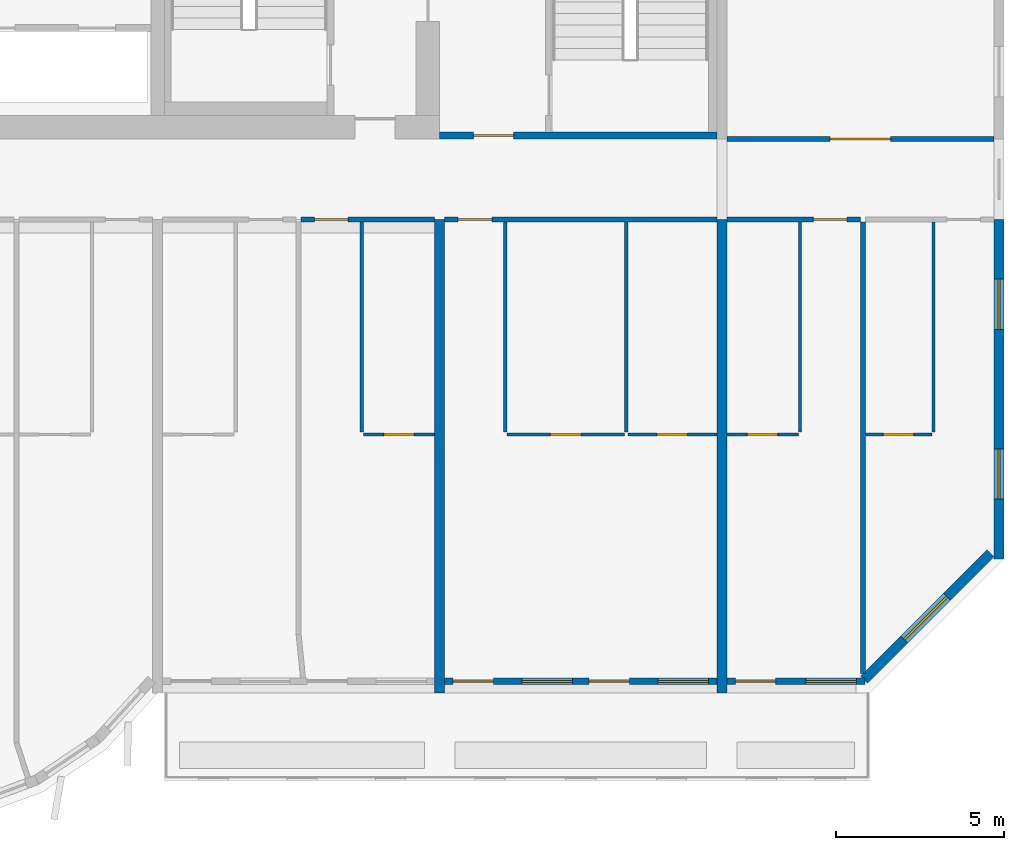
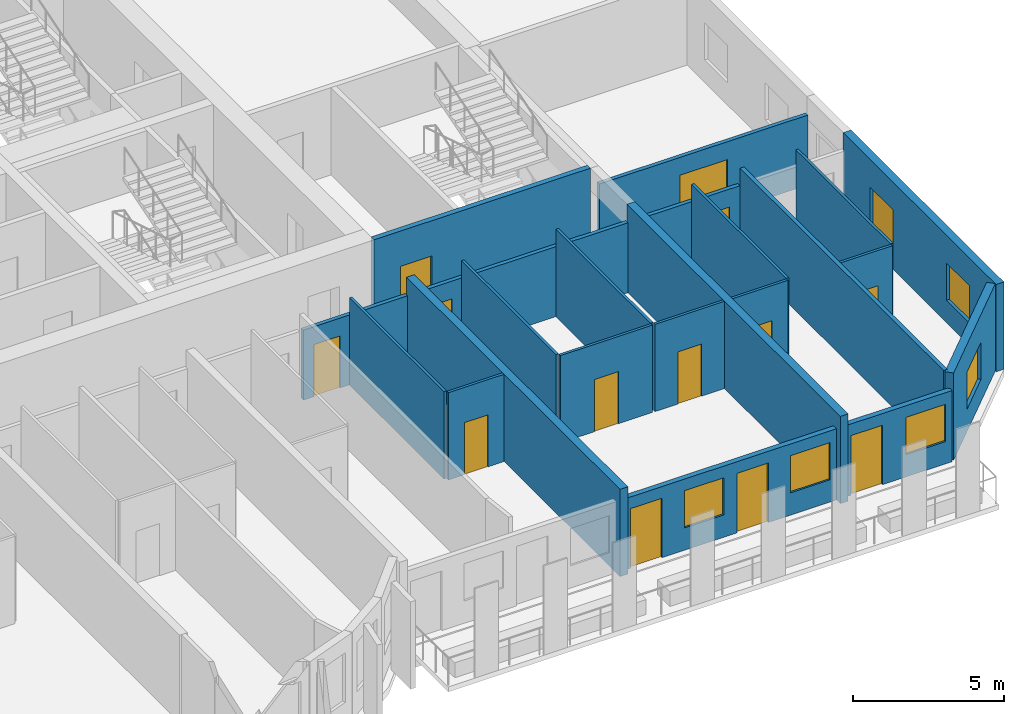
# One storey, part 8 of 13: 22 walls, 13 doors, 6 windows, 19 openings.
"""IFC4 building model written with IfcOpenShell, lengths in metres."""

from ifc_helpers import new_model, si_unit, direction, frame, frame_2d, origin, place, context, subcontext, project, spatial, rectangle, extrude, source, transform, mapped, material, layer, layer_set, type_object, element, fill, save


model = new_model("IFC4")

# Units and contexts
model_context = context("Model", 3, precision=1e-05, world=origin(), true_north=direction((0.0, 1.0)))
body_context = subcontext(model_context, "Body", "Model", "MODEL_VIEW")
ifc_project = project(units=[si_unit("LENGTHUNIT", "METRE"), si_unit("AREAUNIT", "SQUARE_METRE"), si_unit("VOLUMEUNIT", "CUBIC_METRE"), si_unit("PLANEANGLEUNIT", "RADIAN"), si_unit("MASSUNIT", "GRAM", prefix="KILO")], contexts=[model_context])

# Site, building, storey
site_placement = place(None, origin())
site = spatial("IfcSite", under=ifc_project, at=site_placement, CompositionType="ELEMENT")
building_placement = place(site_placement, origin())
building = spatial("IfcBuilding", under=site, at=building_placement, Name="Vanashikhar Sky Hotel", CompositionType="ELEMENT")
storey_placement = place(building_placement, frame((0.0, 0.0, 155.39990234375)))
storey = spatial("IfcBuildingStorey", under=building, at=storey_placement, Name="L37", CompositionType="ELEMENT", Elevation=155.39990234375)

# Wall, openings, windows
ifc_material_1 = material(Name="Concrete M60", Category="concrete")
ifc_layer_1 = layer(ifc_material_1, 0.300048828125)
ifc_layer_set_1 = layer_set([ifc_layer_1], Name="RC shear wall 300 Concrete M60")
wall_type_1 = type_object("IfcWallType", Name="RC shear wall 300 Concrete M60", PredefinedType="SHEAR", material=ifc_layer_set_1)
shared_shape_1 = source(origin(), body_context, "Body", "SweptSolid", [
    extrude(rectangle(XDim=10.10009765625, YDim=0.300048828125, at=frame_2d((5.050048828125, 0.0))), origin(), (0.0, 0.0, 1.0), 3.52001953125),
])
wall_1_placement = place(storey_placement, frame((92.25, 9.5, 0.0), z_axis=(0.0, 0.0, 1.0), x_axis=(0.0, 1.0, 0.0)))
wall_1 = element("IfcWall", 1, at=wall_1_placement, inside=storey, type_object=wall_type_1, Name="CW-L37-XW12-1", PredefinedType="SHEAR", context=body_context, shape_type="MappedRepresentation", body=[
    mapped(shared_shape_1, transform((0.0, 0.0, 0.0), scale=1.0)),
])
shared_shape_2 = source(origin(), body_context, "Body", "SweptSolid", [
    extrude(rectangle(XDim=1.5, YDim=1.5, at=frame_2d((0.75, 0.75))), frame((0.0, 0.16015625, 0.0), z_axis=(0.0, -1.0, 0.0), x_axis=(1.0, 0.0, 0.0)), (0.0, 0.0, 1.0), 0.320068359375),
])
opening_1_placement = place(wall_1_placement, frame((1.77490234375, 0.0, 0.89990234375)))
opening_1 = element("IfcOpeningElement", 2, at=opening_1_placement, cuts=wall_1, Name="Opening WN-1", PredefinedType="OPENING", context=body_context, shape_type="MappedRepresentation", body=[
    mapped(shared_shape_2, transform((0.0, 0.0, 0.0), scale=1.0)),
])
opening_2_placement = place(wall_1_placement, frame((6.824951171875, 0.0, 0.89990234375)))
opening_2 = element("IfcOpeningElement", 3, at=opening_2_placement, cuts=wall_1, Name="Opening WN-1", PredefinedType="OPENING", context=body_context, shape_type="MappedRepresentation", body=[
    mapped(shared_shape_2, transform((0.0, 0.0, 0.0), scale=1.0)),
])
ifc_material_2 = material(Name="Glass", Category="glass")
window_type_1 = type_object("IfcWindowType", Name="Window 1500 x 1500", PartitioningType="SINGLE_PANEL", PredefinedType="WINDOW", material=ifc_material_2)
shared_shape_3 = source(origin(), body_context, "Body", "SweptSolid", [
    extrude(rectangle(XDim=1.5, YDim=1.5, at=frame_2d((0.75, 0.75))), frame((0.0, 0.030029296875, 0.0), z_axis=(0.0, -1.0, 0.0), x_axis=(1.0, 0.0, 0.0)), (0.0, 0.0, 1.0), 0.06005859375),
])
window_1_placement = place(opening_1_placement, origin())
window_1 = element("IfcWindow", 4, at=window_1_placement, inside=storey, type_object=window_type_1, Name="Window WN-1", OverallHeight=1.5, OverallWidth=1.5, PartitioningType="SINGLE_PANEL", PredefinedType="WINDOW", context=body_context, shape_type="MappedRepresentation", body=[
    mapped(shared_shape_3, transform((0.0, 0.0, 0.0), scale=1.0)),
])
fill(opening_1, window_1)
window_2_placement = place(opening_2_placement, origin())
window_2 = element("IfcWindow", 5, at=window_2_placement, inside=storey, type_object=window_type_1, Name="Window WN-1", OverallHeight=1.5, OverallWidth=1.5, PartitioningType="SINGLE_PANEL", PredefinedType="WINDOW", context=body_context, shape_type="MappedRepresentation", body=[
    mapped(shared_shape_3, transform((0.0, 0.0, 0.0), scale=1.0)),
])
fill(opening_2, window_2)

# Walls
shared_shape_4 = source(origin(), body_context, "Body", "SweptSolid", [
    extrude(rectangle(XDim=14.10009765625, YDim=0.300048828125, at=frame_2d((7.050048828125, 0.0))), origin(), (0.0, 0.0, 1.0), 3.52001953125),
])
for number, where, z_axis, x_axis, name in (
    (6, (75.60009765625, 5.5, 0.0), (0.0, 0.0, 1.0), (0.0, 1.0, 0.0), "CW-L37-XW10-1"),
    (7, (84.0, 5.5, 0.0), (0.0, 0.0, 1.0), (0.0, 1.0, 0.0), "CW-L37-XW11-1"),
):
    element("IfcWall", number, at=place(storey_placement, frame(where, z_axis=z_axis, x_axis=x_axis)), inside=storey, type_object=wall_type_1, Name=name, PredefinedType="SHEAR", context=body_context, shape_type="MappedRepresentation", body=[
        mapped(shared_shape_4, transform((0.0, 0.0, 0.0), scale=1.0)),
    ])

# Wall, opening, window
ifc_material_3 = material(Name="Concrete M50", Category="concrete")
ifc_layer_2 = layer(ifc_material_3, 0.300048828125)
ifc_layer_set_2 = layer_set([ifc_layer_2], Name="Lobe wall 300")
wall_type_2 = type_object("IfcWallType", Name="Lobe wall 300", PredefinedType="SOLIDWALL", material=ifc_layer_set_2)
shared_shape_5 = source(origin(), body_context, "Body", "SweptSolid", [
    extrude(rectangle(XDim=5.32568359375, YDim=0.300048828125, at=frame_2d((2.662841796875, 0.0))), origin(), (0.0, 0.0, 1.0), 3.52001953125),
])
wall_2_placement = place(storey_placement, frame((88.234375, 5.89990234375, 0.0), z_axis=(0.0, 0.0, 1.0), x_axis=(0.707083859269, 0.707129702361, 0.0)))
wall_2 = element("IfcWall", 8, at=wall_2_placement, inside=storey, type_object=wall_type_2, Name="Corner wall", PredefinedType="SOLIDWALL", context=body_context, shape_type="MappedRepresentation", body=[
    mapped(shared_shape_5, transform((0.0, 0.0, 0.0), scale=1.0)),
])
shared_shape_6 = source(origin(), body_context, "Body", "SweptSolid", [
    extrude(rectangle(XDim=1.800048828125, YDim=1.5, at=frame_2d((0.89990234375, 0.75))), frame((0.0, 0.16015625, 0.0), z_axis=(0.0, -1.0, 0.0), x_axis=(1.0, 0.0, 0.0)), (0.0, 0.0, 1.0), 0.320068359375),
])
opening_3_placement = place(wall_2_placement, frame((1.689453125, 0.0, 0.89990234375)))
opening_3 = element("IfcOpeningElement", 9, at=opening_3_placement, cuts=wall_2, Name="Opening WN-4", PredefinedType="OPENING", context=body_context, shape_type="MappedRepresentation", body=[
    mapped(shared_shape_6, transform((0.0, 0.0, 0.0), scale=1.0)),
])
window_type_2 = type_object("IfcWindowType", Name="Corner window 1800 x 1500", PartitioningType="SINGLE_PANEL", PredefinedType="WINDOW", material=ifc_material_2)
shared_shape_7 = source(origin(), body_context, "Body", "SweptSolid", [
    extrude(rectangle(XDim=1.800048828125, YDim=1.5, at=frame_2d((0.89990234375, 0.75))), frame((0.0, 0.030029296875, 0.0), z_axis=(0.0, -1.0, 0.0), x_axis=(1.0, 0.0, 0.0)), (0.0, 0.0, 1.0), 0.06005859375),
])
window_3_placement = place(opening_3_placement, origin())
window_3 = element("IfcWindow", 10, at=window_3_placement, inside=storey, type_object=window_type_2, Name="Window WN-4", OverallHeight=1.5, OverallWidth=1.800048828125, PartitioningType="SINGLE_PANEL", PredefinedType="WINDOW", context=body_context, shape_type="MappedRepresentation", body=[
    mapped(shared_shape_7, transform((0.0, 0.0, 0.0), scale=1.0)),
])
fill(opening_3, window_3)

# Wall, openings, window, door
ifc_layer_3 = layer(ifc_material_3, 0.199951171875)
ifc_layer_set_3 = layer_set([ifc_layer_3], Name="Front window wall 200")
wall_type_3 = type_object("IfcWallType", Name="Front window wall 200", PredefinedType="SOLIDWALL", material=ifc_layer_set_3)
shared_shape_8 = source(origin(), body_context, "Body", "SweptSolid", [
    extrude(rectangle(XDim=4.10498046875, YDim=0.199951171875, at=frame_2d((2.052490234375, 0.0))), origin(), (0.0, 0.0, 1.0), 2.8701171875),
])
wall_3_placement = place(storey_placement, frame((84.14990234375, 5.85009765625, 0.0), z_axis=(0.0, 0.0, 1.0), x_axis=(1.0, 0.0, 0.0)))
wall_3 = element("IfcWall", 11, at=wall_3_placement, inside=storey, type_object=wall_type_3, Name="Front window wall", PredefinedType="SOLIDWALL", context=body_context, shape_type="MappedRepresentation", body=[
    mapped(shared_shape_8, transform((0.0, 0.0, 0.0), scale=1.0)),
])
shared_shape_9 = source(origin(), body_context, "Body", "SweptSolid", [
    extrude(rectangle(XDim=1.199951171875, YDim=2.39990234375, at=frame_2d((0.60009765625, 1.199951171875))), frame((0.0, 0.10986328125, 0.0), z_axis=(0.0, -1.0, 0.0), x_axis=(1.0, 0.0, 0.0)), (0.0, 0.0, 1.0), 0.219970703125),
])
opening_4_placement = place(wall_3_placement, frame((0.25, 0.0, 0.0)))
opening_4 = element("IfcOpeningElement", 12, at=opening_4_placement, cuts=wall_3, Name="Opening BD-10", PredefinedType="OPENING", context=body_context, shape_type="MappedRepresentation", body=[
    mapped(shared_shape_9, transform((0.0, 0.0, 0.0), scale=1.0)),
])
shared_shape_10 = source(origin(), body_context, "Body", "SweptSolid", [
    extrude(rectangle(XDim=1.5, YDim=1.5, at=frame_2d((0.75, 0.75))), frame((0.0, 0.10986328125, 0.0), z_axis=(0.0, -1.0, 0.0), x_axis=(1.0, 0.0, 0.0)), (0.0, 0.0, 1.0), 0.219970703125),
])
opening_5_placement = place(wall_3_placement, frame((2.35498046875, 0.0, 0.89990234375)))
opening_5 = element("IfcOpeningElement", 13, at=opening_5_placement, cuts=wall_3, Name="Opening WN-1", PredefinedType="OPENING", context=body_context, shape_type="MappedRepresentation", body=[
    mapped(shared_shape_10, transform((0.0, 0.0, 0.0), scale=1.0)),
])
window_4_placement = place(opening_5_placement, origin())
window_4 = element("IfcWindow", 14, at=window_4_placement, inside=storey, type_object=window_type_1, Name="Window WN-1", OverallHeight=1.5, OverallWidth=1.5, PartitioningType="SINGLE_PANEL", PredefinedType="WINDOW", context=body_context, shape_type="MappedRepresentation", body=[
    mapped(shared_shape_3, transform((0.0, 0.0, 0.0), scale=1.0)),
])
fill(opening_5, window_4)
ifc_material_4 = material(Name="Aluminium", Category="aluminium")
door_type_1 = type_object("IfcDoorType", Name="Balcony sliding door 1200 x 2400", OperationType="NOTDEFINED", PredefinedType="DOOR", material=ifc_material_4)
shared_shape_11 = source(origin(), body_context, "Body", "SweptSolid", [
    extrude(rectangle(XDim=1.199951171875, YDim=2.39990234375, at=frame_2d((0.60009765625, 1.199951171875))), frame((0.0, 0.02490234375, 0.0), z_axis=(0.0, -1.0, 0.0), x_axis=(1.0, 0.0, 0.0)), (0.0, 0.0, 1.0), 0.050048828125),
])
door_1_placement = place(opening_4_placement, origin())
door_1 = element("IfcDoor", 15, at=door_1_placement, inside=storey, type_object=door_type_1, Name="Balcony sliding door", OperationType="SLIDING_TO_RIGHT", OverallHeight=2.39990234375, OverallWidth=1.199951171875, PredefinedType="DOOR", context=body_context, shape_type="MappedRepresentation", body=[
    mapped(shared_shape_11, transform((0.0, 0.0, 0.0), scale=1.0)),
])
fill(opening_4, door_1)

# Wall, openings, windows, doors
shared_shape_12 = source(origin(), body_context, "Body", "SweptSolid", [
    extrude(rectangle(XDim=8.10009765625, YDim=0.199951171875, at=frame_2d((4.050048828125, 0.0))), origin(), (0.0, 0.0, 1.0), 2.8701171875),
])
wall_4_placement = place(storey_placement, frame((75.75, 5.85009765625, 0.0), z_axis=(0.0, 0.0, 1.0), x_axis=(1.0, 0.0, 0.0)))
wall_4 = element("IfcWall", 16, at=wall_4_placement, inside=storey, type_object=wall_type_3, Name="Front window wall", PredefinedType="SOLIDWALL", context=body_context, shape_type="MappedRepresentation", body=[
    mapped(shared_shape_12, transform((0.0, 0.0, 0.0), scale=1.0)),
])
opening_6_placement = place(wall_4_placement, frame((0.25, 0.0, 0.0)))
opening_6 = element("IfcOpeningElement", 17, at=opening_6_placement, cuts=wall_4, Name="Opening BD-08", PredefinedType="OPENING", context=body_context, shape_type="MappedRepresentation", body=[
    mapped(shared_shape_9, transform((0.0, 0.0, 0.0), scale=1.0)),
])
opening_7_placement = place(wall_4_placement, frame((2.300048828125, 0.0, 0.89990234375)))
opening_7 = element("IfcOpeningElement", 18, at=opening_7_placement, cuts=wall_4, Name="Opening WN-1", PredefinedType="OPENING", context=body_context, shape_type="MappedRepresentation", body=[
    mapped(shared_shape_10, transform((0.0, 0.0, 0.0), scale=1.0)),
])
opening_8_placement = place(wall_4_placement, frame((4.300048828125, 0.0, 0.0)))
opening_8 = element("IfcOpeningElement", 19, at=opening_8_placement, cuts=wall_4, Name="Opening BD-09", PredefinedType="OPENING", context=body_context, shape_type="MappedRepresentation", body=[
    mapped(shared_shape_9, transform((0.0, 0.0, 0.0), scale=1.0)),
])
opening_9_placement = place(wall_4_placement, frame((6.35009765625, 0.0, 0.89990234375)))
opening_9 = element("IfcOpeningElement", 20, at=opening_9_placement, cuts=wall_4, Name="Opening WN-1", PredefinedType="OPENING", context=body_context, shape_type="MappedRepresentation", body=[
    mapped(shared_shape_10, transform((0.0, 0.0, 0.0), scale=1.0)),
])
window_5_placement = place(opening_7_placement, origin())
window_5 = element("IfcWindow", 21, at=window_5_placement, inside=storey, type_object=window_type_1, Name="Window WN-1", OverallHeight=1.5, OverallWidth=1.5, PartitioningType="SINGLE_PANEL", PredefinedType="WINDOW", context=body_context, shape_type="MappedRepresentation", body=[
    mapped(shared_shape_3, transform((0.0, 0.0, 0.0), scale=1.0)),
])
fill(opening_7, window_5)
window_6_placement = place(opening_9_placement, origin())
window_6 = element("IfcWindow", 22, at=window_6_placement, inside=storey, type_object=window_type_1, Name="Window WN-1", OverallHeight=1.5, OverallWidth=1.5, PartitioningType="SINGLE_PANEL", PredefinedType="WINDOW", context=body_context, shape_type="MappedRepresentation", body=[
    mapped(shared_shape_3, transform((0.0, 0.0, 0.0), scale=1.0)),
])
fill(opening_9, window_6)
door_2_placement = place(opening_6_placement, origin())
door_2 = element("IfcDoor", 23, at=door_2_placement, inside=storey, type_object=door_type_1, Name="Balcony sliding door", OperationType="SLIDING_TO_RIGHT", OverallHeight=2.39990234375, OverallWidth=1.199951171875, PredefinedType="DOOR", context=body_context, shape_type="MappedRepresentation", body=[
    mapped(shared_shape_11, transform((0.0, 0.0, 0.0), scale=1.0)),
])
fill(opening_6, door_2)
door_3_placement = place(opening_8_placement, origin())
door_3 = element("IfcDoor", 24, at=door_3_placement, inside=storey, type_object=door_type_1, Name="Balcony sliding door", OperationType="SLIDING_TO_LEFT", OverallHeight=2.39990234375, OverallWidth=1.199951171875, PredefinedType="DOOR", context=body_context, shape_type="MappedRepresentation", body=[
    mapped(shared_shape_11, transform((0.0, 0.0, 0.0), scale=1.0)),
])
fill(opening_8, door_3)

# Wall, opening, door
ifc_layer_4 = layer(ifc_material_3, 0.199951171875)
ifc_layer_set_4 = layer_set([ifc_layer_4], Name="Stair wall 200")
wall_type_4 = type_object("IfcWallType", Name="Stair wall 200", PredefinedType="SOLIDWALL", material=ifc_layer_set_4)
shared_shape_13 = source(origin(), body_context, "Body", "SweptSolid", [
    extrude(rectangle(XDim=8.25, YDim=0.199951171875, at=frame_2d((4.125, 0.0))), origin(), (0.0, 0.0, 1.0), 3.52001953125),
])
wall_5_placement = place(storey_placement, frame((83.85009765625, 22.10009765625, 0.0), z_axis=(0.0, 0.0, 1.0), x_axis=(-1.0, 0.0, 0.0)))
wall_5 = element("IfcWall", 25, at=wall_5_placement, inside=storey, type_object=wall_type_4, Name="Stair wall 200", PredefinedType="SOLIDWALL", context=body_context, shape_type="MappedRepresentation", body=[
    mapped(shared_shape_13, transform((0.0, 0.0, 0.0), scale=1.0)),
])
shared_shape_14 = source(origin(), body_context, "Body", "SweptSolid", [
    extrude(rectangle(XDim=1.199951171875, YDim=2.10009765625, at=frame_2d((0.60009765625, 1.050048828125))), frame((0.0, 0.10986328125, 0.0), z_axis=(0.0, -1.0, 0.0), x_axis=(1.0, 0.0, 0.0)), (0.0, 0.0, 1.0), 0.219970703125),
])
opening_10_placement = place(wall_5_placement, frame((6.050048828125, 0.0, 0.0)))
opening_10 = element("IfcOpeningElement", 26, at=opening_10_placement, cuts=wall_5, Name="Opening DC-2", PredefinedType="OPENING", context=body_context, shape_type="MappedRepresentation", body=[
    mapped(shared_shape_14, transform((0.0, 0.0, 0.0), scale=1.0)),
])
ifc_material_5 = material(Name="Steel", Category="steel")
door_type_2 = type_object("IfcDoorType", Name="Firefighting lobby door 1200 FD120", OperationType="NOTDEFINED", PredefinedType="DOOR", material=ifc_material_5)
shared_shape_15 = source(origin(), body_context, "Body", "SweptSolid", [
    extrude(rectangle(XDim=1.199951171875, YDim=2.10009765625, at=frame_2d((0.60009765625, 1.050048828125))), frame((0.0, 0.02490234375, 0.0), z_axis=(0.0, -1.0, 0.0), x_axis=(1.0, 0.0, 0.0)), (0.0, 0.0, 1.0), 0.050048828125),
])
door_4_placement = place(opening_10_placement, origin())
door_4 = element("IfcDoor", 27, at=door_4_placement, inside=storey, type_object=door_type_2, Name="Firefighting lobby door 1200 FD120", OperationType="SINGLE_SWING_LEFT", OverallHeight=2.10009765625, OverallWidth=1.199951171875, PredefinedType="DOOR", context=body_context, shape_type="MappedRepresentation", body=[
    mapped(shared_shape_15, transform((0.0, 0.0, 0.0), scale=1.0)),
])
fill(opening_10, door_4)

ifc_material_6 = material(Name="Gypsum plasterboard partition")
ifc_layer_5 = layer(ifc_material_6, 0.10009765625)
ifc_layer_set_5 = layer_set([ifc_layer_5], Name="Wet room partition 100")
wall_type_5 = type_object("IfcWallType", Name="Wet room partition 100", PredefinedType="PARTITIONING", material=ifc_layer_set_5)
shared_shape_16 = source(origin(), body_context, "Body", "SweptSolid", [
    extrude(rectangle(XDim=3.5, YDim=0.10009765625, at=frame_2d((1.75, 0.0))), origin(), (0.0, 0.0, 1.0), 3.52001953125),
])
wall_6_placement = place(storey_placement, frame((77.60009765625, 13.199951171875, 0.0), z_axis=(0.0, 0.0, 1.0), x_axis=(1.0, 0.0, 0.0)))
wall_6 = element("IfcWall", 28, at=wall_6_placement, inside=storey, type_object=wall_type_5, Name="W-L37-PW043", PredefinedType="PARTITIONING", context=body_context, shape_type="MappedRepresentation", body=[
    mapped(shared_shape_16, transform((0.0, 0.0, 0.0), scale=1.0)),
])
shared_shape_17 = source(origin(), body_context, "Body", "SweptSolid", [
    extrude(rectangle(XDim=0.89990234375, YDim=2.10009765625, at=frame_2d((0.449951171875, 1.050048828125))), frame((0.0, 0.06005859375, 0.0), z_axis=(0.0, -1.0, 0.0), x_axis=(1.0, 0.0, 0.0)), (0.0, 0.0, 1.0), 0.1201171875),
])
opening_11_placement = place(wall_6_placement, frame((1.300048828125, 0.0, 0.0)))
opening_11 = element("IfcOpeningElement", 29, at=opening_11_placement, cuts=wall_6, Name="Opening D-02", PredefinedType="OPENING", context=body_context, shape_type="MappedRepresentation", body=[
    mapped(shared_shape_17, transform((0.0, 0.0, 0.0), scale=1.0)),
])
ifc_material_7 = material(Name="Timber door", Category="wood")
door_type_3 = type_object("IfcDoorType", Name="Internal door 900", OperationType="NOTDEFINED", PredefinedType="DOOR", material=ifc_material_7)
shared_shape_18 = source(origin(), body_context, "Body", "SweptSolid", [
    extrude(rectangle(XDim=0.89990234375, YDim=2.10009765625, at=frame_2d((0.449951171875, 1.050048828125))), frame((0.0, 0.02490234375, 0.0), z_axis=(0.0, -1.0, 0.0), x_axis=(1.0, 0.0, 0.0)), (0.0, 0.0, 1.0), 0.050048828125),
])
door_5_placement = place(opening_11_placement, origin())
door_5 = element("IfcDoor", 30, at=door_5_placement, inside=storey, type_object=door_type_3, Name="D-L37-025", OperationType="SINGLE_SWING_LEFT", OverallHeight=2.10009765625, OverallWidth=0.89990234375, PredefinedType="DOOR", context=body_context, shape_type="MappedRepresentation", body=[
    mapped(shared_shape_18, transform((0.0, 0.0, 0.0), scale=1.0)),
])
fill(opening_11, door_5)

# Walls
shared_shape_19 = source(origin(), body_context, "Body", "SweptSolid", [
    extrude(rectangle(XDim=6.25, YDim=0.10009765625, at=frame_2d((3.125, 0.0))), origin(), (0.0, 0.0, 1.0), 3.52001953125),
])
for number, where, z_axis, x_axis, name in (
    (31, (73.27490234375, 13.27490234375, 0.0), (0.0, 0.0, 1.0), (0.0, 1.0, 0.0), "W-L37-PW037"),
    (32, (77.550048828125, 13.27490234375, 0.0), (0.0, 0.0, 1.0), (0.0, 1.0, 0.0), "W-L37-PW041"),
    (33, (81.14990234375, 13.27490234375, 0.0), (0.0, 0.0, 1.0), (0.0, 1.0, 0.0), "W-L37-PW042"),
    (34, (86.324951171875, 13.27490234375, 0.0), (0.0, 0.0, 1.0), (0.0, 1.0, 0.0), "W-L37-PW046"),
    (35, (90.300048828125, 13.27490234375, 0.0), (0.0, 0.0, 1.0), (0.0, 1.0, 0.0), "W-L37-PW049"),
):
    element("IfcWall", number, at=place(storey_placement, frame(where, z_axis=z_axis, x_axis=x_axis)), inside=storey, type_object=wall_type_5, Name=name, PredefinedType="PARTITIONING", context=body_context, shape_type="MappedRepresentation", body=[
        mapped(shared_shape_19, transform((0.0, 0.0, 0.0), scale=1.0)),
    ])

# Wall, opening, door
ifc_layer_6 = layer(ifc_material_6, 0.14990234375)
ifc_layer_set_6 = layer_set([ifc_layer_6], Name="Corridor and demising partition 150")
wall_type_6 = type_object("IfcWallType", Name="Corridor and demising partition 150", PredefinedType="PARTITIONING", material=ifc_layer_set_6)
shared_shape_20 = source(origin(), body_context, "Body", "SweptSolid", [
    extrude(rectangle(XDim=7.9501953125, YDim=0.14990234375, at=frame_2d((3.97509765625, 0.0))), origin(), (0.0, 0.0, 1.0), 2.820068359375),
])
wall_7_placement = place(storey_placement, frame((84.14990234375, 22.0, 0.0), z_axis=(0.0, 0.0, 1.0), x_axis=(1.0, 0.0, 0.0)))
wall_7 = element("IfcWall", 36, at=wall_7_placement, inside=storey, type_object=wall_type_6, Name="W-L37-PW060", PredefinedType="PARTITIONING", context=body_context, shape_type="MappedRepresentation", body=[
    mapped(shared_shape_20, transform((0.0, 0.0, 0.0), scale=1.0)),
])
shared_shape_21 = source(origin(), body_context, "Body", "SweptSolid", [
    extrude(rectangle(XDim=1.800048828125, YDim=2.10009765625, at=frame_2d((0.89990234375, 1.050048828125))), frame((0.0, 0.0849609375, 0.0), z_axis=(0.0, -1.0, 0.0), x_axis=(1.0, 0.0, 0.0)), (0.0, 0.0, 1.0), 0.169921875),
])
opening_12_placement = place(wall_7_placement, frame((3.074951171875, 0.0, 0.0)))
opening_12 = element("IfcOpeningElement", 37, at=opening_12_placement, cuts=wall_7, Name="Opening D-03", PredefinedType="OPENING", context=body_context, shape_type="MappedRepresentation", body=[
    mapped(shared_shape_21, transform((0.0, 0.0, 0.0), scale=1.0)),
])
ifc_material_8 = material(Name="Timber fire door", Category="wood")
door_type_4 = type_object("IfcDoorType", Name="Double leaf door 1800 FD30S", OperationType="NOTDEFINED", PredefinedType="DOOR", material=ifc_material_8)
shared_shape_22 = source(origin(), body_context, "Body", "SweptSolid", [
    extrude(rectangle(XDim=1.800048828125, YDim=2.10009765625, at=frame_2d((0.89990234375, 1.050048828125))), frame((0.0, 0.02490234375, 0.0), z_axis=(0.0, -1.0, 0.0), x_axis=(1.0, 0.0, 0.0)), (0.0, 0.0, 1.0), 0.050048828125),
])
door_6_placement = place(opening_12_placement, origin())
door_6 = element("IfcDoor", 38, at=door_6_placement, inside=storey, type_object=door_type_4, Name="D-L37-035", OperationType="DOUBLE_DOOR_SINGLE_SWING", OverallHeight=2.10009765625, OverallWidth=1.800048828125, PredefinedType="DOOR", context=body_context, shape_type="MappedRepresentation", body=[
    mapped(shared_shape_22, transform((0.0, 0.0, 0.0), scale=1.0)),
])
fill(opening_12, door_6)

# Wall
shared_shape_23 = source(origin(), body_context, "Body", "SweptSolid", [
    extrude(rectangle(XDim=13.447021484375, YDim=0.14990234375, at=frame_2d((6.7236328125, 0.0))), origin(), (0.0, 0.0, 1.0), 3.52001953125),
])
wall_8_placement = place(storey_placement, frame((88.199951171875, 6.077880859375, 0.0), z_axis=(0.0, 0.0, 1.0), x_axis=(0.0, 1.0, 0.0)))
element("IfcWall", 39, at=wall_8_placement, inside=storey, type_object=wall_type_6, Name="W-L37-PW052", PredefinedType="PARTITIONING", context=body_context, shape_type="MappedRepresentation", body=[
    mapped(shared_shape_23, transform((0.0, 0.0, 0.0), scale=1.0)),
])

# Wall, opening, door
shared_shape_24 = source(origin(), body_context, "Body", "SweptSolid", [
    extrude(rectangle(XDim=2.125, YDim=0.10009765625, at=frame_2d((1.0625, 0.0))), origin(), (0.0, 0.0, 1.0), 3.52001953125),
])
wall_9_placement = place(storey_placement, frame((73.324951171875, 13.199951171875, 0.0), z_axis=(0.0, 0.0, 1.0), x_axis=(1.0, 0.0, 0.0)))
wall_9 = element("IfcWall", 40, at=wall_9_placement, inside=storey, type_object=wall_type_5, Name="W-L37-PW038", PredefinedType="PARTITIONING", context=body_context, shape_type="MappedRepresentation", body=[
    mapped(shared_shape_24, transform((0.0, 0.0, 0.0), scale=1.0)),
])
opening_13_placement = place(wall_9_placement, frame((0.612060546875, 0.0, 0.0)))
opening_13 = element("IfcOpeningElement", 41, at=opening_13_placement, cuts=wall_9, Name="Opening D-02", PredefinedType="OPENING", context=body_context, shape_type="MappedRepresentation", body=[
    mapped(shared_shape_17, transform((0.0, 0.0, 0.0), scale=1.0)),
])
door_7_placement = place(opening_13_placement, origin())
door_7 = element("IfcDoor", 42, at=door_7_placement, inside=storey, type_object=door_type_3, Name="D-L37-023", OperationType="SINGLE_SWING_LEFT", OverallHeight=2.10009765625, OverallWidth=0.89990234375, PredefinedType="DOOR", context=body_context, shape_type="MappedRepresentation", body=[
    mapped(shared_shape_18, transform((0.0, 0.0, 0.0), scale=1.0)),
])
fill(opening_13, door_7)

wall_10_placement = place(storey_placement, frame((84.14990234375, 13.199951171875, 0.0), z_axis=(0.0, 0.0, 1.0), x_axis=(1.0, 0.0, 0.0)))
wall_10 = element("IfcWall", 43, at=wall_10_placement, inside=storey, type_object=wall_type_5, Name="W-L37-PW047", PredefinedType="PARTITIONING", context=body_context, shape_type="MappedRepresentation", body=[
    mapped(shared_shape_24, transform((0.0, 0.0, 0.0), scale=1.0)),
])
opening_14_placement = place(wall_10_placement, frame((0.612060546875, 0.0, 0.0)))
opening_14 = element("IfcOpeningElement", 44, at=opening_14_placement, cuts=wall_10, Name="Opening D-02", PredefinedType="OPENING", context=body_context, shape_type="MappedRepresentation", body=[
    mapped(shared_shape_17, transform((0.0, 0.0, 0.0), scale=1.0)),
])
door_8_placement = place(opening_14_placement, origin())
door_8 = element("IfcDoor", 45, at=door_8_placement, inside=storey, type_object=door_type_3, Name="D-L37-028", OperationType="SINGLE_SWING_RIGHT", OverallHeight=2.10009765625, OverallWidth=0.89990234375, PredefinedType="DOOR", context=body_context, shape_type="MappedRepresentation", body=[
    mapped(shared_shape_18, transform((0.0, 0.0, 0.0), scale=1.0)),
])
fill(opening_14, door_8)

shared_shape_25 = source(origin(), body_context, "Body", "SweptSolid", [
    extrude(rectangle(XDim=2.650146484375, YDim=0.10009765625, at=frame_2d((1.3251953125, 0.0))), origin(), (0.0, 0.0, 1.0), 3.52001953125),
])
wall_11_placement = place(storey_placement, frame((81.199951171875, 13.199951171875, 0.0), z_axis=(0.0, 0.0, 1.0), x_axis=(1.0, 0.0, 0.0)))
wall_11 = element("IfcWall", 46, at=wall_11_placement, inside=storey, type_object=wall_type_5, Name="W-L37-PW044", PredefinedType="PARTITIONING", context=body_context, shape_type="MappedRepresentation", body=[
    mapped(shared_shape_25, transform((0.0, 0.0, 0.0), scale=1.0)),
])
opening_15_placement = place(wall_11_placement, frame((0.875, 0.0, 0.0)))
opening_15 = element("IfcOpeningElement", 47, at=opening_15_placement, cuts=wall_11, Name="Opening D-02", PredefinedType="OPENING", context=body_context, shape_type="MappedRepresentation", body=[
    mapped(shared_shape_17, transform((0.0, 0.0, 0.0), scale=1.0)),
])
door_9_placement = place(opening_15_placement, origin())
door_9 = element("IfcDoor", 48, at=door_9_placement, inside=storey, type_object=door_type_3, Name="D-L37-026", OperationType="SINGLE_SWING_LEFT", OverallHeight=2.10009765625, OverallWidth=0.89990234375, PredefinedType="DOOR", context=body_context, shape_type="MappedRepresentation", body=[
    mapped(shared_shape_18, transform((0.0, 0.0, 0.0), scale=1.0)),
])
fill(opening_15, door_9)

shared_shape_26 = source(origin(), body_context, "Body", "SweptSolid", [
    extrude(rectangle(XDim=1.97509765625, YDim=0.10009765625, at=frame_2d((0.987548828125, 0.0))), origin(), (0.0, 0.0, 1.0), 3.52001953125),
])
wall_12_placement = place(storey_placement, frame((88.27490234375, 13.199951171875, 0.0), z_axis=(0.0, 0.0, 1.0), x_axis=(1.0, 0.0, 0.0)))
wall_12 = element("IfcWall", 49, at=wall_12_placement, inside=storey, type_object=wall_type_5, Name="W-L37-PW050", PredefinedType="PARTITIONING", context=body_context, shape_type="MappedRepresentation", body=[
    mapped(shared_shape_26, transform((0.0, 0.0, 0.0), scale=1.0)),
])
opening_16_placement = place(wall_12_placement, frame((0.537109375, 0.0, 0.0)))
opening_16 = element("IfcOpeningElement", 50, at=opening_16_placement, cuts=wall_12, Name="Opening D-02", PredefinedType="OPENING", context=body_context, shape_type="MappedRepresentation", body=[
    mapped(shared_shape_17, transform((0.0, 0.0, 0.0), scale=1.0)),
])
door_10_placement = place(opening_16_placement, origin())
door_10 = element("IfcDoor", 51, at=door_10_placement, inside=storey, type_object=door_type_3, Name="D-L37-030", OperationType="SINGLE_SWING_RIGHT", OverallHeight=2.10009765625, OverallWidth=0.89990234375, PredefinedType="DOOR", context=body_context, shape_type="MappedRepresentation", body=[
    mapped(shared_shape_18, transform((0.0, 0.0, 0.0), scale=1.0)),
])
fill(opening_16, door_10)

shared_shape_27 = source(origin(), body_context, "Body", "SweptSolid", [
    extrude(rectangle(XDim=8.10009765625, YDim=0.14990234375, at=frame_2d((4.050048828125, 0.0))), origin(), (0.0, 0.0, 1.0), 2.820068359375),
])
wall_13_placement = place(storey_placement, frame((75.75, 19.60009765625, 0.0), z_axis=(0.0, 0.0, 1.0), x_axis=(1.0, 0.0, 0.0)))
wall_13 = element("IfcWall", 52, at=wall_13_placement, inside=storey, type_object=wall_type_6, Name="W-L37-PW045", PredefinedType="PARTITIONING", context=body_context, shape_type="MappedRepresentation", body=[
    mapped(shared_shape_27, transform((0.0, 0.0, 0.0), scale=1.0)),
])
shared_shape_28 = source(origin(), body_context, "Body", "SweptSolid", [
    extrude(rectangle(XDim=1.0, YDim=2.10009765625, at=frame_2d((0.5, 1.050048828125))), frame((0.0, 0.0849609375, 0.0), z_axis=(0.0, -1.0, 0.0), x_axis=(1.0, 0.0, 0.0)), (0.0, 0.0, 1.0), 0.169921875),
])
opening_17_placement = place(wall_13_placement, frame((0.39990234375, 0.0, 0.0)))
opening_17 = element("IfcOpeningElement", 53, at=opening_17_placement, cuts=wall_13, Name="Opening D-01", PredefinedType="OPENING", context=body_context, shape_type="MappedRepresentation", body=[
    mapped(shared_shape_28, transform((0.0, 0.0, 0.0), scale=1.0)),
])
door_type_5 = type_object("IfcDoorType", Name="Guest entry door 1000 FD30S", OperationType="NOTDEFINED", PredefinedType="DOOR", material=ifc_material_8)
shared_shape_29 = source(origin(), body_context, "Body", "SweptSolid", [
    extrude(rectangle(XDim=1.0, YDim=2.10009765625, at=frame_2d((0.5, 1.050048828125))), frame((0.0, 0.02490234375, 0.0), z_axis=(0.0, -1.0, 0.0), x_axis=(1.0, 0.0, 0.0)), (0.0, 0.0, 1.0), 0.050048828125),
])
door_11_placement = place(opening_17_placement, origin())
door_11 = element("IfcDoor", 54, at=door_11_placement, inside=storey, type_object=door_type_5, Name="D-L37-027", OperationType="SINGLE_SWING_LEFT", OverallHeight=2.10009765625, OverallWidth=1.0, PredefinedType="DOOR", context=body_context, shape_type="MappedRepresentation", body=[
    mapped(shared_shape_29, transform((0.0, 0.0, 0.0), scale=1.0)),
])
fill(opening_17, door_11)

shared_shape_30 = source(origin(), body_context, "Body", "SweptSolid", [
    extrude(rectangle(XDim=3.974853515625, YDim=0.14990234375, at=frame_2d((1.9873046875, 0.0))), origin(), (0.0, 0.0, 1.0), 2.820068359375),
])
wall_14_placement = place(storey_placement, frame((71.47509765625, 19.60009765625, 0.0), z_axis=(0.0, 0.0, 1.0), x_axis=(1.0, 0.0, 0.0)))
wall_14 = element("IfcWall", 55, at=wall_14_placement, inside=storey, type_object=wall_type_6, Name="W-L37-PW039", PredefinedType="PARTITIONING", context=body_context, shape_type="MappedRepresentation", body=[
    mapped(shared_shape_30, transform((0.0, 0.0, 0.0), scale=1.0)),
])
opening_18_placement = place(wall_14_placement, frame((0.39990234375, 0.0, 0.0)))
opening_18 = element("IfcOpeningElement", 56, at=opening_18_placement, cuts=wall_14, Name="Opening D-01", PredefinedType="OPENING", context=body_context, shape_type="MappedRepresentation", body=[
    mapped(shared_shape_28, transform((0.0, 0.0, 0.0), scale=1.0)),
])
door_12_placement = place(opening_18_placement, origin())
door_12 = element("IfcDoor", 57, at=door_12_placement, inside=storey, type_object=door_type_5, Name="D-L37-024", OperationType="SINGLE_SWING_LEFT", OverallHeight=2.10009765625, OverallWidth=1.0, PredefinedType="DOOR", context=body_context, shape_type="MappedRepresentation", body=[
    mapped(shared_shape_29, transform((0.0, 0.0, 0.0), scale=1.0)),
])
fill(opening_18, door_12)

shared_shape_31 = source(origin(), body_context, "Body", "SweptSolid", [
    extrude(rectangle(XDim=3.97509765625, YDim=0.14990234375, at=frame_2d((1.987548828125, 0.0))), origin(), (0.0, 0.0, 1.0), 2.820068359375),
])
wall_15_placement = place(storey_placement, frame((84.14990234375, 19.60009765625, 0.0), z_axis=(0.0, 0.0, 1.0), x_axis=(1.0, 0.0, 0.0)))
wall_15 = element("IfcWall", 58, at=wall_15_placement, inside=storey, type_object=wall_type_6, Name="W-L37-PW048", PredefinedType="PARTITIONING", context=body_context, shape_type="MappedRepresentation", body=[
    mapped(shared_shape_31, transform((0.0, 0.0, 0.0), scale=1.0)),
])
opening_19_placement = place(wall_15_placement, frame((2.574951171875, 0.0, 0.0)))
opening_19 = element("IfcOpeningElement", 59, at=opening_19_placement, cuts=wall_15, Name="Opening D-01", PredefinedType="OPENING", context=body_context, shape_type="MappedRepresentation", body=[
    mapped(shared_shape_28, transform((0.0, 0.0, 0.0), scale=1.0)),
])
door_13_placement = place(opening_19_placement, origin())
door_13 = element("IfcDoor", 60, at=door_13_placement, inside=storey, type_object=door_type_5, Name="D-L37-029", OperationType="SINGLE_SWING_RIGHT", OverallHeight=2.10009765625, OverallWidth=1.0, PredefinedType="DOOR", context=body_context, shape_type="MappedRepresentation", body=[
    mapped(shared_shape_29, transform((0.0, 0.0, 0.0), scale=1.0)),
])
fill(opening_19, door_13)

save(model, "model.ifc")
